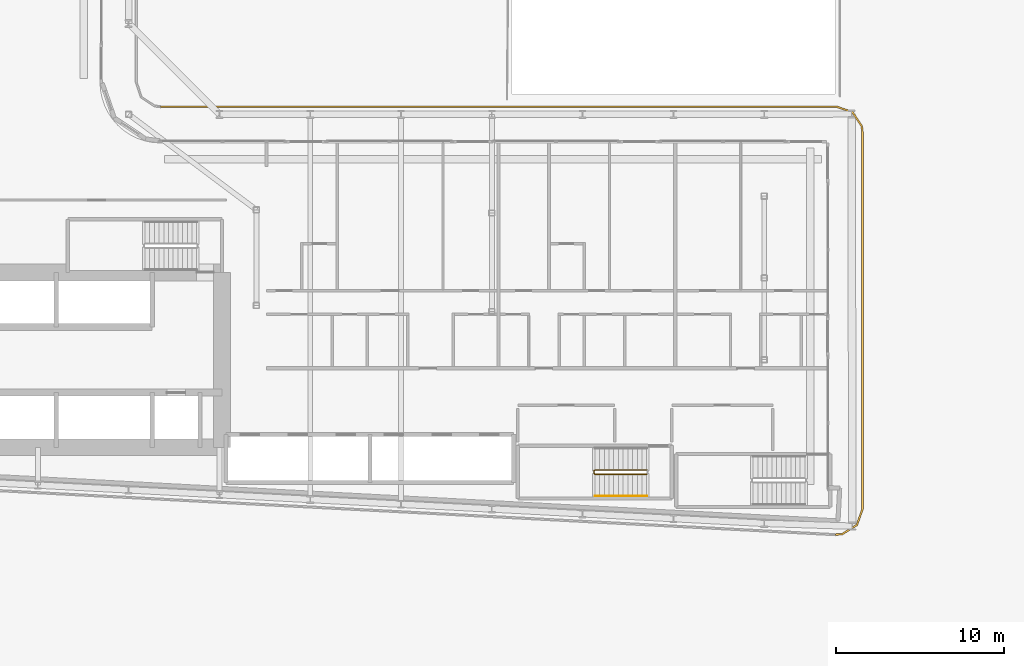
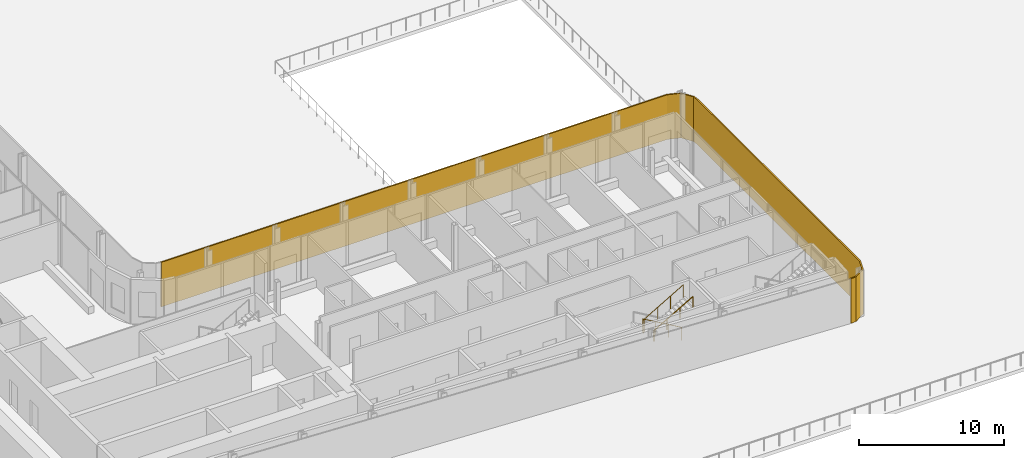
# One storey, part 22 of 27: 2 railings, 1 shading device.
"""IFC4 building model written with IfcOpenShell, lengths in metres."""

from ifc_helpers import new_model, si_unit, direction, frame, origin, origin_2d, place, context, subcontext, project, spatial, polyline, circle, outline, extrude, material, layer, layer_set, type_object, element, save


model = new_model("IFC4")

# Units and contexts
model_context = context("Model", 3, precision=1e-05, world=origin(), true_north=direction((0.0, 1.0)))
body_context = subcontext(model_context, "Body", "Model", "MODEL_VIEW")
ifc_project = project(units=[si_unit("LENGTHUNIT", "METRE"), si_unit("AREAUNIT", "SQUARE_METRE"), si_unit("VOLUMEUNIT", "CUBIC_METRE"), si_unit("PLANEANGLEUNIT", "RADIAN"), si_unit("MASSUNIT", "GRAM", prefix="KILO")], contexts=[model_context])

# Site, building, storey
site_placement = place(None, origin())
site = spatial("IfcSite", under=ifc_project, at=site_placement, CompositionType="ELEMENT")
building_placement = place(site_placement, origin())
building = spatial("IfcBuilding", under=site, at=building_placement, Name="Kheshtan School and Residences Tower", CompositionType="ELEMENT")
storey_placement = place(building_placement, frame((0.0, 0.0, 30.5)))
storey = spatial("IfcBuildingStorey", under=building, at=storey_placement, Name="L06", CompositionType="ELEMENT", Elevation=30.5)

# Shading device
ifc_material_1 = material(Name="Terracotta lattice, extruded ceramic", Category="masonry")
ifc_layer = layer(ifc_material_1, 0.10009765625)
ifc_layer_set = layer_set([ifc_layer], Name="Loggia screen, terracotta lattice")
shading_device_type = type_object("IfcShadingDeviceType", Name="Loggia screen, terracotta lattice", PredefinedType="USERDEFINED", material=ifc_layer_set)
shading_device_placement = place(storey_placement, origin())
element("IfcShadingDevice", 1, at=shading_device_placement, inside=storey, type_object=shading_device_type, Name="Screen L06 2", ObjectType="SCREEN", PredefinedType="USERDEFINED", context=body_context, shape_type="SweptSolid", body=[
    extrude(outline(polyline([(49.5, 46.0), (89.699951171875, 46.0), (90.613037109375, 45.68994140625), (91.14892578125, 44.887939453125), (91.199951171875, 44.5), (91.199951171875, 22.14892578125), (90.8701171875, 21.2099609375), (90.02392578125, 20.68505859375), (89.62109375, 20.652099609375), (89.62890625, 20.552001953125), (90.055908203125, 20.5869140625), (90.952880859375, 21.14404296875), (91.300048828125, 22.132080078125), (91.300048828125, 44.507080078125), (91.2451171875, 44.924072265625), (90.677001953125, 45.77392578125), (89.717041015625, 46.10009765625), (49.5, 46.10009765625), (49.5, 46.0)])), origin(), (0.0, 0.0, 1.0), 3.75),
])

# Railings
ifc_material_2 = material(Name="Stainless steel balustrade", Category="steel")
railing_type_1 = type_object("IfcRailingType", Name="Stair guard 1100", PredefinedType="GUARDRAIL", material=ifc_material_2)
railing_1_placement = place(storey_placement, frame((78.409912109375, 24.449951171875, 0.16259765625)))
element("IfcRailing", 2, at=railing_1_placement, inside=storey, type_object=railing_type_1, Name="L06 ST5 stair guard 1", PredefinedType="GUARDRAIL", context=body_context, shape_type="SweptSolid", body=[
    extrude(circle(Radius=0.02392578125, at=origin_2d()), frame((0.0, 0.0, 1.076171875), z_axis=(-0.864903211148, 0.0, 0.501938676878), x_axis=(0.0, -1.0, 0.0)), (0.0, 0.0, 1.0), 3.560791015625),
    extrude(circle(Radius=0.02392578125, at=origin_2d()), frame((-3.079833984375, 0.0, 2.86328125), z_axis=(-0.707106781187, -0.707106781187, 0.0), x_axis=(0.707106781187, -0.707106781187, 0.0)), (0.0, 0.0, 1.0), 0.07080078125),
    extrude(circle(Radius=0.02392578125, at=origin_2d()), frame((-3.1298828125, -0.050048828125, 2.86328125), z_axis=(0.0, -1.0, 0.0), x_axis=(1.0, 0.0, 0.0)), (0.0, 0.0, 1.0), 0.14990234375),
    extrude(circle(Radius=0.02392578125, at=origin_2d()), frame((-3.1298828125, -0.199951171875, 2.86328125), z_axis=(0.282227285176, -0.282227285176, 0.916894497205), x_axis=(0.707106781187, 0.707106781187, 0.0)), (0.0, 0.0, 1.0), 0.17724609375),
    extrude(circle(Radius=0.02392578125, at=origin_2d()), frame((-3.079833984375, -0.25, 3.02587890625), z_axis=(0.864903211148, 0.0, 0.501938676878), x_axis=(0.0, 1.0, 0.0)), (0.0, 0.0, 1.0), 3.560791015625),
    extrude(circle(Radius=0.02099609375, at=origin_2d()), origin(), (0.0, 0.0, 1.0), 1.052001953125),
    extrude(circle(Radius=0.02099609375, at=origin_2d()), frame((-1.026611328125, 0.0, 0.595703125)), (0.0, 0.0, 1.0), 1.052001953125),
    extrude(circle(Radius=0.02099609375, at=origin_2d()), frame((-2.05322265625, 0.0, 1.191650390625)), (0.0, 0.0, 1.0), 1.052001953125),
    extrude(circle(Radius=0.02099609375, at=origin_2d()), frame((-3.079833984375, 0.0, 1.787353515625)), (0.0, 0.0, 1.0), 1.052001953125),
    extrude(circle(Radius=0.02099609375, at=origin_2d()), frame((-3.1298828125, -0.050048828125, 1.787353515625)), (0.0, 0.0, 1.0), 1.052001953125),
    extrude(circle(Radius=0.02099609375, at=origin_2d()), frame((-3.1298828125, -0.199951171875, 1.787353515625)), (0.0, 0.0, 1.0), 1.052001953125),
    extrude(circle(Radius=0.02099609375, at=origin_2d()), frame((-3.079833984375, -0.25, 1.949951171875)), (0.0, 0.0, 1.0), 1.052001953125),
    extrude(circle(Radius=0.02099609375, at=origin_2d()), frame((-2.05322265625, -0.25, 2.545654296875)), (0.0, 0.0, 1.0), 1.052001953125),
    extrude(circle(Radius=0.02099609375, at=origin_2d()), frame((-1.026611328125, -0.25, 3.1416015625)), (0.0, 0.0, 1.0), 1.052001953125),
    extrude(circle(Radius=0.02099609375, at=origin_2d()), frame((0.0, -0.25, 3.7373046875)), (0.0, 0.0, 1.0), 1.052001953125),
])
ifc_material_3 = material(Name="Stainless steel handrail", Category="steel")
railing_type_2 = type_object("IfcRailingType", Name="Stair handrail 900", PredefinedType="HANDRAIL", material=ifc_material_3)
railing_2_placement = place(storey_placement, frame((75.330078125, 22.89990234375, 2.112548828125)))
element("IfcRailing", 3, at=railing_2_placement, inside=storey, type_object=railing_type_2, Name="L06 ST5 stair handrail 2", PredefinedType="HANDRAIL", context=body_context, shape_type="SweptSolid", body=[
    extrude(circle(Radius=0.02392578125, at=origin_2d()), frame((0.0, 0.0, 0.8759765625), z_axis=(0.864903211148, 0.0, 0.501938676878), x_axis=(0.0, 1.0, 0.0)), (0.0, 0.0, 1.0), 3.560791015625),
    extrude(circle(Radius=0.02099609375, at=origin_2d()), origin(), (0.0, 0.0, 1.0), 0.851806640625),
    extrude(circle(Radius=0.02099609375, at=origin_2d()), frame((1.026611328125, 0.0, 0.595703125)), (0.0, 0.0, 1.0), 0.851806640625),
    extrude(circle(Radius=0.02099609375, at=origin_2d()), frame((2.05322265625, 0.0, 1.191650390625)), (0.0, 0.0, 1.0), 0.851806640625),
    extrude(circle(Radius=0.02099609375, at=origin_2d()), frame((3.079833984375, 0.0, 1.787353515625)), (0.0, 0.0, 1.0), 0.851806640625),
])

save(model, "model.ifc")
